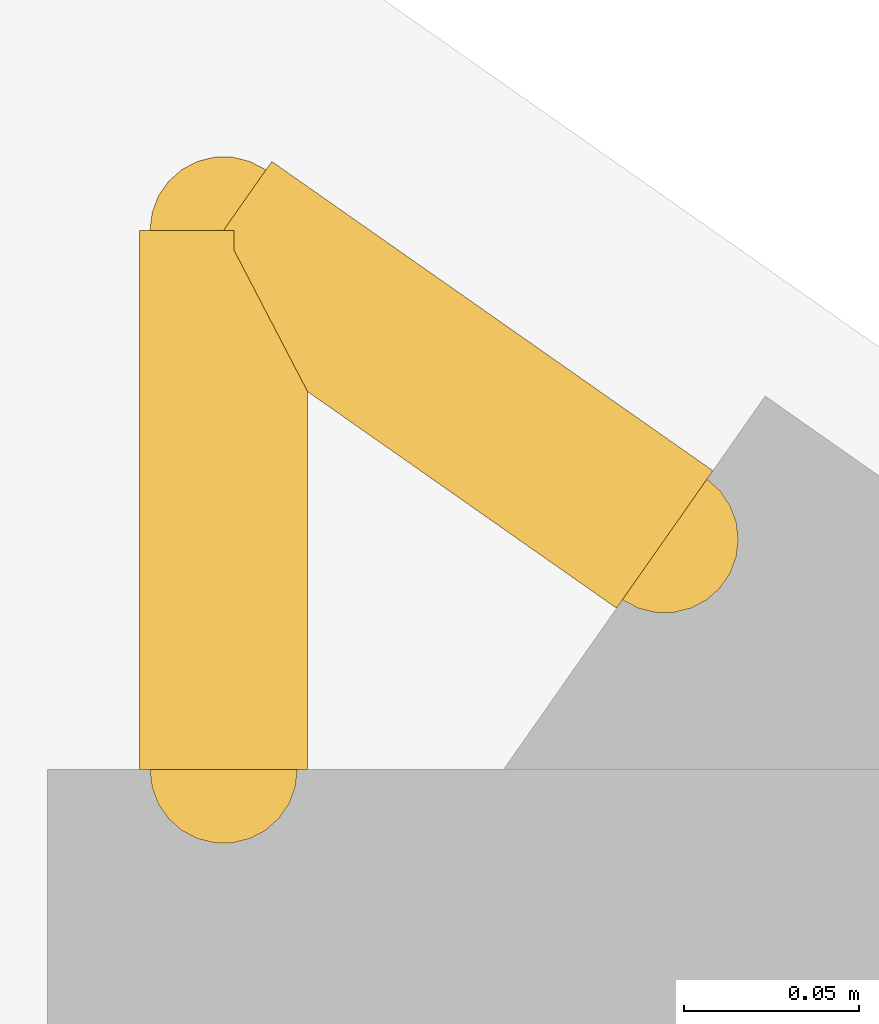
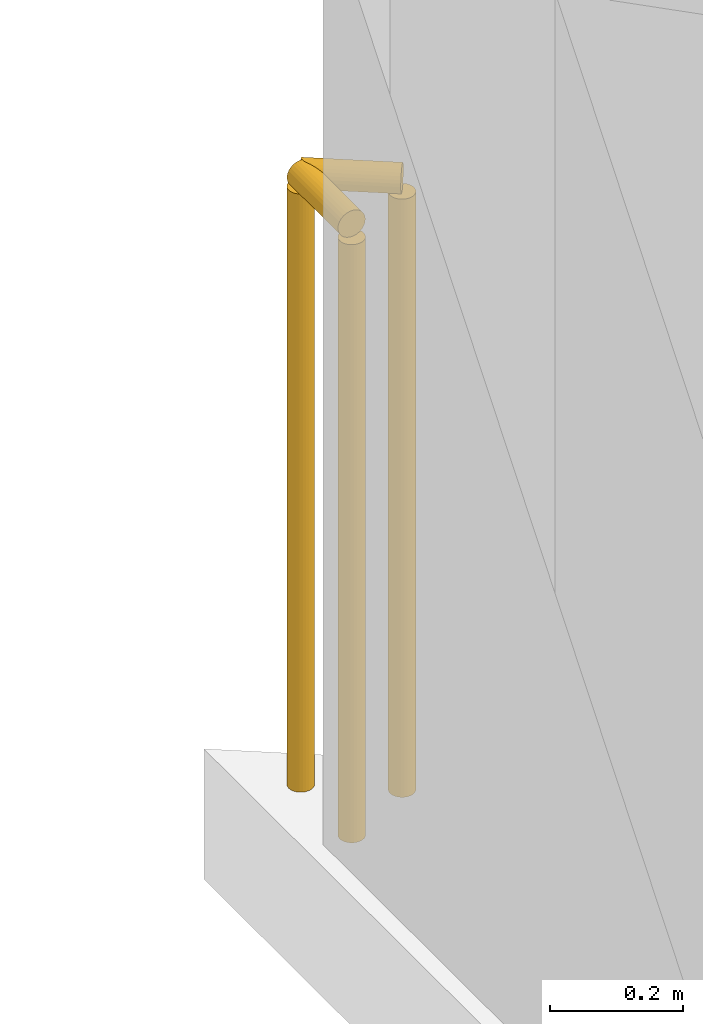
# One storey, part 17 of 17: 2 railings.
"""IFC4 building model written with IfcOpenShell, lengths in metres."""

from ifc_helpers import new_model, si_unit, direction, frame, origin, origin_2d, place, context, subcontext, project, spatial, circle, extrude, material, type_object, element, save


model = new_model("IFC4")

# Units and contexts
model_context = context("Model", 3, precision=1e-05, world=origin(), true_north=direction((0.0, 1.0)))
body_context = subcontext(model_context, "Body", "Model", "MODEL_VIEW")
ifc_project = project(units=[si_unit("LENGTHUNIT", "METRE"), si_unit("AREAUNIT", "SQUARE_METRE"), si_unit("VOLUMEUNIT", "CUBIC_METRE"), si_unit("PLANEANGLEUNIT", "RADIAN"), si_unit("MASSUNIT", "GRAM", prefix="KILO")], contexts=[model_context])

# Site, building, storey
site_placement = place(None, origin())
site = spatial("IfcSite", under=ifc_project, at=site_placement, CompositionType="ELEMENT")
building_placement = place(site_placement, origin())
building = spatial("IfcBuilding", under=site, at=building_placement, Name="Varnakote Quay Hospital", CompositionType="ELEMENT")
storey_placement = place(building_placement, frame((0.0, 0.0, 184.199951171875)))
storey = spatial("IfcBuildingStorey", under=building, at=storey_placement, Name="L45", CompositionType="ELEMENT", Elevation=184.199951171875)

# Railings
ifc_material = material(Name="Anodised aluminium 6063-T6 Bronze", Category="aluminium")
railing_type = type_object("IfcRailingType", Name="RLG-EXT-GUARD-1150", PredefinedType="GUARDRAIL", material=ifc_material)
railing_1_placement = place(storey_placement, frame((2.580078125, 42.492431640625, 0.0)))
element("IfcRailing", 1, at=railing_1_placement, inside=storey, type_object=railing_type, Name="L45 Slab Edge Perimeter Safety Guard", PredefinedType="GUARDRAIL", context=body_context, shape_type="SweptSolid", body=[
    extrude(circle(Radius=0.02392578125, at=origin_2d()), frame((0.0, 0.0, 1.1259765625), z_axis=(0.0, 1.0, 0.0), x_axis=(-1.0, 0.0, 0.0)), (0.0, 0.0, 1.0), 0.15380859375),
    extrude(circle(Radius=0.02099609375, at=origin_2d()), origin(), (0.0, 0.0, 1.0), 1.101806640625),
    extrude(circle(Radius=0.02099609375, at=origin_2d()), frame((0.0, 0.15380859375, 0.0)), (0.0, 0.0, 1.0), 1.101806640625),
])
railing_2_placement = place(storey_placement, frame((2.580078125, 42.646240234375, 0.0)))
element("IfcRailing", 2, at=railing_2_placement, inside=storey, type_object=railing_type, Name="L45 Slab Edge Perimeter Safety Guard", PredefinedType="GUARDRAIL", context=body_context, shape_type="SweptSolid", body=[
    extrude(circle(Radius=0.02392578125, at=origin_2d()), frame((0.0, 0.0, 1.1259765625), z_axis=(0.818858253068, -0.57399578516, 0.0), x_axis=(0.57399578516, 0.818858253068, 0.0)), (0.0, 0.0, 1.0), 0.153564453125),
    extrude(circle(Radius=0.02099609375, at=origin_2d()), origin(), (0.0, 0.0, 1.0), 1.101806640625),
    extrude(circle(Radius=0.02099609375, at=origin_2d()), frame((0.125732421875, -0.088134765625, 0.0)), (0.0, 0.0, 1.0), 1.101806640625),
])

save(model, "model.ifc")
